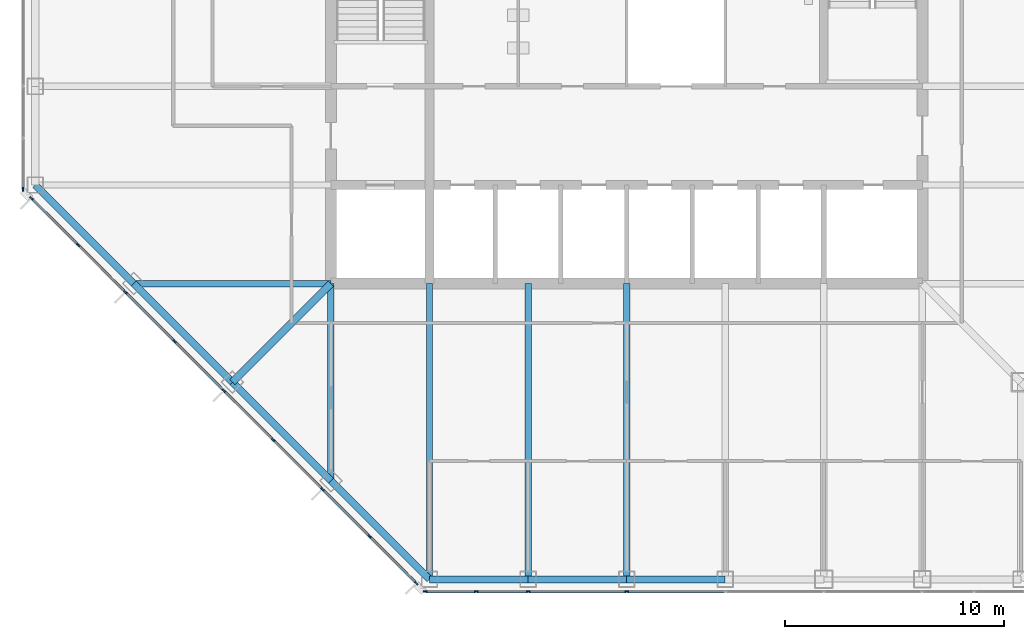
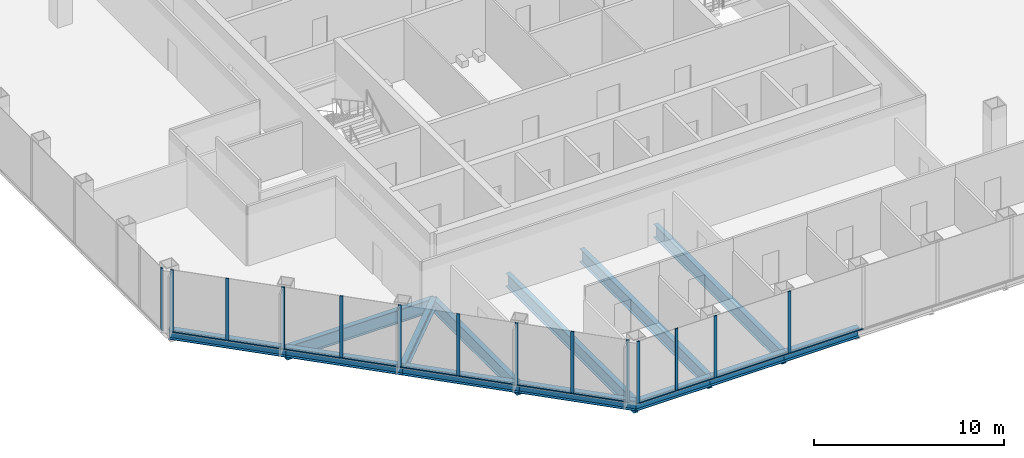
# One storey, part 2 of 12: 26 members, 13 beams, 3 elements without a shape of their own.
"""IFC4 building model written with IfcOpenShell, lengths in metres."""

from ifc_helpers import new_model, si_unit, direction, frame, origin, origin_2d, place, context, subcontext, project, spatial, rectangle, i_section, extrude, material, material_profile, profile_set, type_object, element, aggregate, save


model = new_model("IFC4")

# Units and contexts
model_context = context("Model", 3, precision=1e-05, world=origin(), true_north=direction((0.0, 1.0)))
body_context = subcontext(model_context, "Body", "Model", "MODEL_VIEW")
ifc_project = project(units=[si_unit("LENGTHUNIT", "METRE"), si_unit("AREAUNIT", "SQUARE_METRE"), si_unit("VOLUMEUNIT", "CUBIC_METRE"), si_unit("PLANEANGLEUNIT", "RADIAN"), si_unit("MASSUNIT", "GRAM", prefix="KILO")], contexts=[model_context])

# Site, building, storey
site_placement = place(None, origin())
site = spatial("IfcSite", under=ifc_project, at=site_placement, CompositionType="ELEMENT")
building_placement = place(site_placement, origin())
building = spatial("IfcBuilding", under=site, at=building_placement, Name="Corais Broadcast Tower", CompositionType="ELEMENT")
storey_placement = place(building_placement, frame((0.0, 0.0, 147.60009765625)))
storey = spatial("IfcBuildingStorey", under=building, at=storey_placement, Name="L33", CompositionType="ELEMENT", Elevation=147.60009765625)

# Beams
ifc_material_1 = material(Name="Steel ASTM A572 Grade 50", Category="steel")
ifc_material_profile_1 = material_profile(ifc_material_1, i_section(OverallWidth=0.323974609375, OverallDepth=0.611083984375, WebThickness=0.0126953125, FlangeThickness=0.01904296875, at=origin_2d()), Name="W610x155")
ifc_profile_set_1 = profile_set([ifc_material_profile_1], Name="Steel ASTM A572 Grade 50")
beam_type_1 = type_object("IfcBeamType", Name="Corner diagonal W610x155", PredefinedType="BEAM", material=ifc_profile_set_1)
beam_1_placement = place(storey_placement, frame((9.0, 9.0, -0.465576171875), z_axis=(0.707106781187, 0.707106781187, 0.0), x_axis=(-0.707106781187, 0.707106781187, 0.0)))
element("IfcBeam", 1, at=beam_1_placement, inside=storey, type_object=beam_type_1, Name="B6 C/5 to D/6", PredefinedType="BEAM", context=body_context, shape_type="SweptSolid", body=[
    extrude(i_section(OverallWidth=0.323974609375, OverallDepth=0.611083984375, WebThickness=0.0126953125, FlangeThickness=0.01904296875, at=origin_2d()), origin(), (0.0, 0.0, 1.0), 6.364013671875),
])
ifc_material_2 = material(Name="Steel ASTM A572 Grade 50", Category="steel")
ifc_material_profile_2 = material_profile(ifc_material_2, i_section(OverallWidth=0.2939453125, OverallDepth=0.85107421875, WebThickness=0.01611328125, FlangeThickness=0.02685546875, at=origin_2d()), Name="W840x226")
ifc_profile_set_2 = profile_set([ifc_material_profile_2], Name="Steel ASTM A572 Grade 50")
beam_type_2 = type_object("IfcBeamType", Name="Floor beam W840x226", PredefinedType="BEAM", material=ifc_profile_set_2)
beam_2_placement = place(storey_placement, frame((13.5, 4.5, -0.585693359375), z_axis=(0.0, 1.0, 0.0), x_axis=(-1.0, 0.0, 0.0)))
element("IfcBeam", 2, at=beam_2_placement, inside=storey, type_object=beam_type_2, Name="B1 B/6 to D/6", PredefinedType="BEAM", context=body_context, shape_type="SweptSolid", body=[
    extrude(i_section(OverallWidth=0.2939453125, OverallDepth=0.85107421875, WebThickness=0.01611328125, FlangeThickness=0.02685546875, at=origin_2d()), origin(), (0.0, 0.0, 1.0), 9.0),
])
for number, where, z_axis, x_axis, name in (
    (3, (18.0, 0.0, -0.585693359375), (0.0, 1.0, 0.0), (-1.0, 0.0, 0.0), "B1 A/7 to D/7"),
    (4, (22.5, 0.0, -0.585693359375), (0.0, 1.0, 0.0), (-1.0, 0.0, 0.0), "B1 A/8 to D/8"),
    (5, (27.0, 0.0, -0.585693359375), (0.0, 1.0, 0.0), (-1.0, 0.0, 0.0), "B1 A/9 to D/9"),
):
    element("IfcBeam", number, at=place(storey_placement, frame(where, z_axis=z_axis, x_axis=x_axis)), inside=storey, type_object=beam_type_2, Name=name, PredefinedType="BEAM", context=body_context, shape_type="SweptSolid", body=[
        extrude(i_section(OverallWidth=0.2939453125, OverallDepth=0.85107421875, WebThickness=0.01611328125, FlangeThickness=0.02685546875, at=origin_2d()), origin(), (0.0, 0.0, 1.0), 13.5),
    ])
beam_3_placement = place(storey_placement, frame((4.5, 13.5, -0.585693359375), z_axis=(1.0, 0.0, 0.0), x_axis=(0.0, 1.0, 0.0)))
element("IfcBeam", 6, at=beam_3_placement, inside=storey, type_object=beam_type_2, Name="B1 D/4 to D/6", PredefinedType="BEAM", context=body_context, shape_type="SweptSolid", body=[
    extrude(i_section(OverallWidth=0.2939453125, OverallDepth=0.85107421875, WebThickness=0.01611328125, FlangeThickness=0.02685546875, at=origin_2d()), origin(), (0.0, 0.0, 1.0), 9.0),
])

# Curtain wall, members
ifc_material_3 = material(Name="Aluminium and glass", Category="aluminium")
curtain_wall_type = type_object("IfcCurtainWallType", Name="Unitised fritted curtain wall CW2", PredefinedType="NOTDEFINED", material=ifc_material_3)
curtain_wall_1_placement = place(storey_placement, origin())
curtain_wall_1 = element("IfcCurtainWall", 7, at=curtain_wall_1_placement, inside=storey, type_object=curtain_wall_type, Name="CW2 curtain wall L33 1", PredefinedType="NOTDEFINED")
ifc_material_4 = material(Name="Aluminium 6063-T6", Category="aluminium")
ifc_material_profile_3 = material_profile(ifc_material_4, rectangle(XDim=0.06494140625, YDim=0.179931640625, at=origin_2d()), Name="Mullion CW2 65x180")
ifc_profile_set_3 = profile_set([ifc_material_profile_3], Name="Aluminium 6063-T6")
member_type_1 = type_object("IfcMemberType", Name="Mullion CW2 65x180", PredefinedType="MULLION", material=ifc_profile_set_3)
member_1_placement = place(storey_placement, frame((17.3955078125, -0.17333984375, 0.0), z_axis=(0.0, 0.0, 1.0), x_axis=(-0.707106781187, -0.707106781187, 0.0)))
member_1 = element("IfcMember", 8, at=member_1_placement, type_object=member_type_1, Name="CW2 mullion 1", PredefinedType="MULLION", context=body_context, shape_type="SweptSolid", body=[
    extrude(rectangle(XDim=0.06494140625, YDim=0.179931640625, at=origin_2d()), origin(), (0.0, 0.0, 1.0), 4.0),
])
member_2_placement = place(storey_placement, frame((15.264892578125, 1.957275390625, 0.0), z_axis=(0.0, 0.0, 1.0), x_axis=(-0.707106781187, -0.707106781187, 0.0)))
member_2 = element("IfcMember", 9, at=member_2_placement, type_object=member_type_1, Name="CW2 mullion 2", PredefinedType="MULLION", context=body_context, shape_type="SweptSolid", body=[
    extrude(rectangle(XDim=0.06494140625, YDim=0.179931640625, at=origin_2d()), origin(), (0.0, 0.0, 1.0), 4.0),
])
member_3_placement = place(storey_placement, frame((13.111083984375, 4.111083984375, 0.0), z_axis=(0.0, 0.0, 1.0), x_axis=(-0.707106781187, -0.707106781187, 0.0)))
member_3 = element("IfcMember", 10, at=member_3_placement, type_object=member_type_1, Name="CW2 mullion 3", PredefinedType="MULLION", context=body_context, shape_type="SweptSolid", body=[
    extrude(rectangle(XDim=0.06494140625, YDim=0.179931640625, at=origin_2d()), origin(), (0.0, 0.0, 1.0), 4.0),
])
member_4_placement = place(storey_placement, frame((10.861083984375, 6.361083984375, 0.0), z_axis=(0.0, 0.0, 1.0), x_axis=(-0.707106781187, -0.707106781187, 0.0)))
member_4 = element("IfcMember", 11, at=member_4_placement, type_object=member_type_1, Name="CW2 mullion 4", PredefinedType="MULLION", context=body_context, shape_type="SweptSolid", body=[
    extrude(rectangle(XDim=0.06494140625, YDim=0.179931640625, at=origin_2d()), origin(), (0.0, 0.0, 1.0), 4.0),
])
member_5_placement = place(storey_placement, frame((8.611083984375, 8.611083984375, 0.0), z_axis=(0.0, 0.0, 1.0), x_axis=(-0.707106781187, -0.707106781187, 0.0)))
member_5 = element("IfcMember", 12, at=member_5_placement, type_object=member_type_1, Name="CW2 mullion 5", PredefinedType="MULLION", context=body_context, shape_type="SweptSolid", body=[
    extrude(rectangle(XDim=0.06494140625, YDim=0.179931640625, at=origin_2d()), origin(), (0.0, 0.0, 1.0), 4.0),
])
member_6_placement = place(storey_placement, frame((6.361083984375, 10.861083984375, 0.0), z_axis=(0.0, 0.0, 1.0), x_axis=(-0.707106781187, -0.707106781187, 0.0)))
member_6 = element("IfcMember", 13, at=member_6_placement, type_object=member_type_1, Name="CW2 mullion 6", PredefinedType="MULLION", context=body_context, shape_type="SweptSolid", body=[
    extrude(rectangle(XDim=0.06494140625, YDim=0.179931640625, at=origin_2d()), origin(), (0.0, 0.0, 1.0), 4.0),
])
member_7_placement = place(storey_placement, frame((4.111083984375, 13.111083984375, 0.0), z_axis=(0.0, 0.0, 1.0), x_axis=(-0.707106781187, -0.707106781187, 0.0)))
member_7 = element("IfcMember", 14, at=member_7_placement, type_object=member_type_1, Name="CW2 mullion 7", PredefinedType="MULLION", context=body_context, shape_type="SweptSolid", body=[
    extrude(rectangle(XDim=0.06494140625, YDim=0.179931640625, at=origin_2d()), origin(), (0.0, 0.0, 1.0), 4.0),
])
member_8_placement = place(storey_placement, frame((1.957275390625, 15.264892578125, 0.0), z_axis=(0.0, 0.0, 1.0), x_axis=(-0.707106781187, -0.707106781187, 0.0)))
member_8 = element("IfcMember", 15, at=member_8_placement, type_object=member_type_1, Name="CW2 mullion 8", PredefinedType="MULLION", context=body_context, shape_type="SweptSolid", body=[
    extrude(rectangle(XDim=0.06494140625, YDim=0.179931640625, at=origin_2d()), origin(), (0.0, 0.0, 1.0), 4.0),
])
member_9_placement = place(storey_placement, frame((-0.17333984375, 17.3955078125, 0.0), z_axis=(0.0, 0.0, 1.0), x_axis=(-0.707106781187, -0.707106781187, 0.0)))
member_9 = element("IfcMember", 16, at=member_9_placement, type_object=member_type_1, Name="CW2 mullion 9", PredefinedType="MULLION", context=body_context, shape_type="SweptSolid", body=[
    extrude(rectangle(XDim=0.06494140625, YDim=0.179931640625, at=origin_2d()), origin(), (0.0, 0.0, 1.0), 4.0),
])

# Curtain wall, member
curtain_wall_2_placement = place(storey_placement, origin())
curtain_wall_2 = element("IfcCurtainWall", 17, at=curtain_wall_2_placement, inside=storey, type_object=curtain_wall_type, Name="CW2 curtain wall L33 2", PredefinedType="NOTDEFINED")
member_10_placement = place(storey_placement, frame((-0.550048828125, 17.8046875, 0.0), z_axis=(0.0, 0.0, 1.0), x_axis=(-1.0, 0.0, 0.0)))
member_10 = element("IfcMember", 18, at=member_10_placement, type_object=member_type_1, Name="CW2 mullion 1", PredefinedType="MULLION", context=body_context, shape_type="SweptSolid", body=[
    extrude(rectangle(XDim=0.06494140625, YDim=0.179931640625, at=origin_2d()), origin(), (0.0, 0.0, 1.0), 4.0),
])
aggregate(curtain_wall_2, [member_10])

# Curtain wall, members
curtain_wall_3_placement = place(storey_placement, origin())
curtain_wall_3 = element("IfcCurtainWall", 19, at=curtain_wall_3_placement, inside=storey, type_object=curtain_wall_type, Name="CW2 curtain wall L33 8", PredefinedType="NOTDEFINED")
member_11_placement = place(storey_placement, frame((27.0, -0.550048828125, 0.0), z_axis=(0.0, 0.0, 1.0), x_axis=(0.0, -1.0, 0.0)))
member_11 = element("IfcMember", 20, at=member_11_placement, type_object=member_type_1, Name="CW2 mullion 6", PredefinedType="MULLION", context=body_context, shape_type="SweptSolid", body=[
    extrude(rectangle(XDim=0.06494140625, YDim=0.179931640625, at=origin_2d()), origin(), (0.0, 0.0, 1.0), 4.0),
])
member_12_placement = place(storey_placement, frame((22.5, -0.550048828125, 0.0), z_axis=(0.0, 0.0, 1.0), x_axis=(0.0, -1.0, 0.0)))
member_12 = element("IfcMember", 21, at=member_12_placement, type_object=member_type_1, Name="CW2 mullion 7", PredefinedType="MULLION", context=body_context, shape_type="SweptSolid", body=[
    extrude(rectangle(XDim=0.06494140625, YDim=0.179931640625, at=origin_2d()), origin(), (0.0, 0.0, 1.0), 4.0),
])
member_13_placement = place(storey_placement, frame((20.135986328125, -0.550048828125, 0.0), z_axis=(0.0, 0.0, 1.0), x_axis=(0.0, -1.0, 0.0)))
member_13 = element("IfcMember", 22, at=member_13_placement, type_object=member_type_1, Name="CW2 mullion 8", PredefinedType="MULLION", context=body_context, shape_type="SweptSolid", body=[
    extrude(rectangle(XDim=0.06494140625, YDim=0.179931640625, at=origin_2d()), origin(), (0.0, 0.0, 1.0), 4.0),
])
member_14_placement = place(storey_placement, frame((17.8046875, -0.550048828125, 0.0), z_axis=(0.0, 0.0, 1.0), x_axis=(0.0, -1.0, 0.0)))
member_14 = element("IfcMember", 23, at=member_14_placement, type_object=member_type_1, Name="CW2 mullion 9", PredefinedType="MULLION", context=body_context, shape_type="SweptSolid", body=[
    extrude(rectangle(XDim=0.06494140625, YDim=0.179931640625, at=origin_2d()), origin(), (0.0, 0.0, 1.0), 4.0),
])

# Beams
ifc_material_5 = material(Name="Steel ASTM A572 Grade 50", Category="steel")
ifc_material_profile_4 = material_profile(ifc_material_5, i_section(OverallWidth=0.3291015625, OverallDepth=0.635009765625, WebThickness=0.017822265625, FlangeThickness=0.031005859375, at=origin_2d()), Name="W610x241")
ifc_profile_set_4 = profile_set([ifc_material_profile_4], Name="Steel ASTM A572 Grade 50")
beam_type_3 = type_object("IfcBeamType", Name="Spandrel W610x241", PredefinedType="BEAM", material=ifc_profile_set_4)
for number, where, z_axis, x_axis, name in (
    (24, (0.0, 18.0, -0.4775390625), (0.707106781187, -0.707106781187, 0.0), (0.707106781187, 0.707106781187, 0.0), "SB1 E/3 to D/4"),
    (25, (13.5, 4.5, -0.4775390625), (0.707106781187, -0.707106781187, 0.0), (0.707106781187, 0.707106781187, 0.0), "SB1 B/6 to A/7"),
):
    element("IfcBeam", number, at=place(storey_placement, frame(where, z_axis=z_axis, x_axis=x_axis)), inside=storey, type_object=beam_type_3, Name=name, PredefinedType="BEAM", context=body_context, shape_type="SweptSolid", body=[
        extrude(i_section(OverallWidth=0.3291015625, OverallDepth=0.635009765625, WebThickness=0.017822265625, FlangeThickness=0.031005859375, at=origin_2d()), origin(), (0.0, 0.0, 1.0), 6.364013671875),
    ])
for number, where, z_axis, x_axis, name in (
    (26, (18.0, 0.0, -0.4775390625), (1.0, 0.0, 0.0), (0.0, 1.0, 0.0), "SB1 A/7 to A/8"),
    (27, (22.5, 0.0, -0.4775390625), (1.0, 0.0, 0.0), (0.0, 1.0, 0.0), "SB1 A/8 to A/9"),
    (28, (27.0, 0.0, -0.4775390625), (1.0, 0.0, 0.0), (0.0, 1.0, 0.0), "SB1 A/9 to A/10"),
):
    element("IfcBeam", number, at=place(storey_placement, frame(where, z_axis=z_axis, x_axis=x_axis)), inside=storey, type_object=beam_type_3, Name=name, PredefinedType="BEAM", context=body_context, shape_type="SweptSolid", body=[
        extrude(i_section(OverallWidth=0.3291015625, OverallDepth=0.635009765625, WebThickness=0.017822265625, FlangeThickness=0.031005859375, at=origin_2d()), origin(), (0.0, 0.0, 1.0), 4.5),
    ])
for number, where, z_axis, x_axis, name in (
    (29, (4.5, 13.5, -0.4775390625), (0.707106781187, -0.707106781187, 0.0), (0.707106781187, 0.707106781187, 0.0), "SB1 D/4 to C/5"),
    (30, (9.0, 9.0, -0.4775390625), (0.707106781187, -0.707106781187, 0.0), (0.707106781187, 0.707106781187, 0.0), "SB1 C/5 to B/6"),
):
    element("IfcBeam", number, at=place(storey_placement, frame(where, z_axis=z_axis, x_axis=x_axis)), inside=storey, type_object=beam_type_3, Name=name, PredefinedType="BEAM", context=body_context, shape_type="SweptSolid", body=[
        extrude(i_section(OverallWidth=0.3291015625, OverallDepth=0.635009765625, WebThickness=0.017822265625, FlangeThickness=0.031005859375, at=origin_2d()), origin(), (0.0, 0.0, 1.0), 6.364013671875),
    ])

# Member
ifc_material_6 = material(Name="Aluminium 6063-T6", Category="aluminium")
ifc_material_profile_5 = material_profile(ifc_material_6, rectangle(XDim=0.1298828125, YDim=0.06494140625, at=origin_2d()), Name="Transom CW2 65x130")
ifc_profile_set_5 = profile_set([ifc_material_profile_5], Name="Aluminium 6063-T6")
member_type_2 = type_object("IfcMemberType", Name="Transom CW2 65x130", PredefinedType="USERDEFINED", material=ifc_profile_set_5)
member_15_placement = place(storey_placement, frame((17.37255859375, -0.150390625, 0.032470703125), z_axis=(-0.707106781187, 0.707106781187, 0.0), x_axis=(-0.707106781187, -0.707106781187, 0.0)))
member_15 = element("IfcMember", 31, at=member_15_placement, type_object=member_type_2, Name="CW2 transom 1.1", ObjectType="TRANSOM", PredefinedType="USERDEFINED", context=body_context, shape_type="SweptSolid", body=[
    extrude(rectangle(XDim=0.1298828125, YDim=0.06494140625, at=origin_2d()), origin(), (0.0, 0.0, 1.0), 2.9482421875),
])

member_16_placement = place(storey_placement, frame((15.241943359375, 1.980224609375, 0.032470703125), z_axis=(-0.707106781187, 0.707106781187, 0.0), x_axis=(-0.707106781187, -0.707106781187, 0.0)))
member_16 = element("IfcMember", 32, at=member_16_placement, type_object=member_type_2, Name="CW2 transom 2.1", ObjectType="TRANSOM", PredefinedType="USERDEFINED", context=body_context, shape_type="SweptSolid", body=[
    extrude(rectangle(XDim=0.1298828125, YDim=0.06494140625, at=origin_2d()), origin(), (0.0, 0.0, 1.0), 2.98095703125),
])

member_17_placement = place(storey_placement, frame((13.088134765625, 4.134033203125, 0.032470703125), z_axis=(-0.707106781187, 0.707106781187, 0.0), x_axis=(-0.707106781187, -0.707106781187, 0.0)))
member_17 = element("IfcMember", 33, at=member_17_placement, type_object=member_type_2, Name="CW2 transom 3.1", ObjectType="TRANSOM", PredefinedType="USERDEFINED", context=body_context, shape_type="SweptSolid", body=[
    extrude(rectangle(XDim=0.1298828125, YDim=0.06494140625, at=origin_2d()), origin(), (0.0, 0.0, 1.0), 3.1171875),
])

member_18_placement = place(storey_placement, frame((10.838134765625, 6.384033203125, 0.032470703125), z_axis=(-0.707106781187, 0.707106781187, 0.0), x_axis=(-0.707106781187, -0.707106781187, 0.0)))
member_18 = element("IfcMember", 34, at=member_18_placement, type_object=member_type_2, Name="CW2 transom 4.1", ObjectType="TRANSOM", PredefinedType="USERDEFINED", context=body_context, shape_type="SweptSolid", body=[
    extrude(rectangle(XDim=0.1298828125, YDim=0.06494140625, at=origin_2d()), origin(), (0.0, 0.0, 1.0), 3.1171875),
])

member_19_placement = place(storey_placement, frame((8.588134765625, 8.634033203125, 0.032470703125), z_axis=(-0.707106781187, 0.707106781187, 0.0), x_axis=(-0.707106781187, -0.707106781187, 0.0)))
member_19 = element("IfcMember", 35, at=member_19_placement, type_object=member_type_2, Name="CW2 transom 5.1", ObjectType="TRANSOM", PredefinedType="USERDEFINED", context=body_context, shape_type="SweptSolid", body=[
    extrude(rectangle(XDim=0.1298828125, YDim=0.06494140625, at=origin_2d()), origin(), (0.0, 0.0, 1.0), 3.1171875),
])

member_20_placement = place(storey_placement, frame((6.338134765625, 10.884033203125, 0.032470703125), z_axis=(-0.707106781187, 0.707106781187, 0.0), x_axis=(-0.707106781187, -0.707106781187, 0.0)))
member_20 = element("IfcMember", 36, at=member_20_placement, type_object=member_type_2, Name="CW2 transom 6.1", ObjectType="TRANSOM", PredefinedType="USERDEFINED", context=body_context, shape_type="SweptSolid", body=[
    extrude(rectangle(XDim=0.1298828125, YDim=0.06494140625, at=origin_2d()), origin(), (0.0, 0.0, 1.0), 3.1171875),
])

member_21_placement = place(storey_placement, frame((4.088134765625, 13.134033203125, 0.032470703125), z_axis=(-0.707065828661, 0.70714773134, 0.0), x_axis=(-0.70714773134, -0.707065828661, 0.0)))
member_21 = element("IfcMember", 37, at=member_21_placement, type_object=member_type_2, Name="CW2 transom 7.1", ObjectType="TRANSOM", PredefinedType="USERDEFINED", context=body_context, shape_type="SweptSolid", body=[
    extrude(rectangle(XDim=0.1298828125, YDim=0.06494140625, at=origin_2d()), origin(), (0.0, 0.0, 1.0), 2.98095703125),
])

member_22_placement = place(storey_placement, frame((1.934326171875, 15.287841796875, 0.032470703125), z_axis=(-0.707106781187, 0.707106781187, 0.0), x_axis=(-0.707106781187, -0.707106781187, 0.0)))
member_22 = element("IfcMember", 38, at=member_22_placement, type_object=member_type_2, Name="CW2 transom 8.1", ObjectType="TRANSOM", PredefinedType="USERDEFINED", context=body_context, shape_type="SweptSolid", body=[
    extrude(rectangle(XDim=0.1298828125, YDim=0.06494140625, at=origin_2d()), origin(), (0.0, 0.0, 1.0), 2.9482421875),
])

aggregate(curtain_wall_1, [member_1, member_2, member_3, member_4, member_5, member_6, member_7, member_8, member_9, member_15, member_16, member_17, member_18, member_19, member_20, member_21, member_22])

member_23_placement = place(storey_placement, frame((31.467529296875, -0.550048828125, 0.032470703125), z_axis=(-1.0, 0.0, 0.0), x_axis=(0.0, -1.0, 0.0)))
member_23 = element("IfcMember", 39, at=member_23_placement, type_object=member_type_2, Name="CW2 transom 5.1", ObjectType="TRANSOM", PredefinedType="USERDEFINED", context=body_context, shape_type="SweptSolid", body=[
    extrude(rectangle(XDim=0.1298828125, YDim=0.06494140625, at=origin_2d()), origin(), (0.0, 0.0, 1.0), 4.43505859375),
])

member_24_placement = place(storey_placement, frame((26.967529296875, -0.550048828125, 0.032470703125), z_axis=(-1.0, 0.0, 0.0), x_axis=(0.0, -1.0, 0.0)))
member_24 = element("IfcMember", 40, at=member_24_placement, type_object=member_type_2, Name="CW2 transom 6.1", ObjectType="TRANSOM", PredefinedType="USERDEFINED", context=body_context, shape_type="SweptSolid", body=[
    extrude(rectangle(XDim=0.1298828125, YDim=0.06494140625, at=origin_2d()), origin(), (0.0, 0.0, 1.0), 4.43505859375),
])

member_25_placement = place(storey_placement, frame((22.467529296875, -0.550048828125, 0.032470703125), z_axis=(-1.0, 0.0, 0.0), x_axis=(0.0, -1.0, 0.0)))
member_25 = element("IfcMember", 41, at=member_25_placement, type_object=member_type_2, Name="CW2 transom 7.1", ObjectType="TRANSOM", PredefinedType="USERDEFINED", context=body_context, shape_type="SweptSolid", body=[
    extrude(rectangle(XDim=0.1298828125, YDim=0.06494140625, at=origin_2d()), origin(), (0.0, 0.0, 1.0), 2.298828125),
])

member_26_placement = place(storey_placement, frame((20.103515625, -0.550048828125, 0.032470703125), z_axis=(-1.0, 0.0, 0.0), x_axis=(0.0, -1.0, 0.0)))
member_26 = element("IfcMember", 42, at=member_26_placement, type_object=member_type_2, Name="CW2 transom 8.1", ObjectType="TRANSOM", PredefinedType="USERDEFINED", context=body_context, shape_type="SweptSolid", body=[
    extrude(rectangle(XDim=0.1298828125, YDim=0.06494140625, at=origin_2d()), origin(), (0.0, 0.0, 1.0), 2.266357421875),
])

aggregate(curtain_wall_3, [member_11, member_12, member_13, member_14, member_23, member_24, member_25, member_26])

save(model, "model.ifc")
